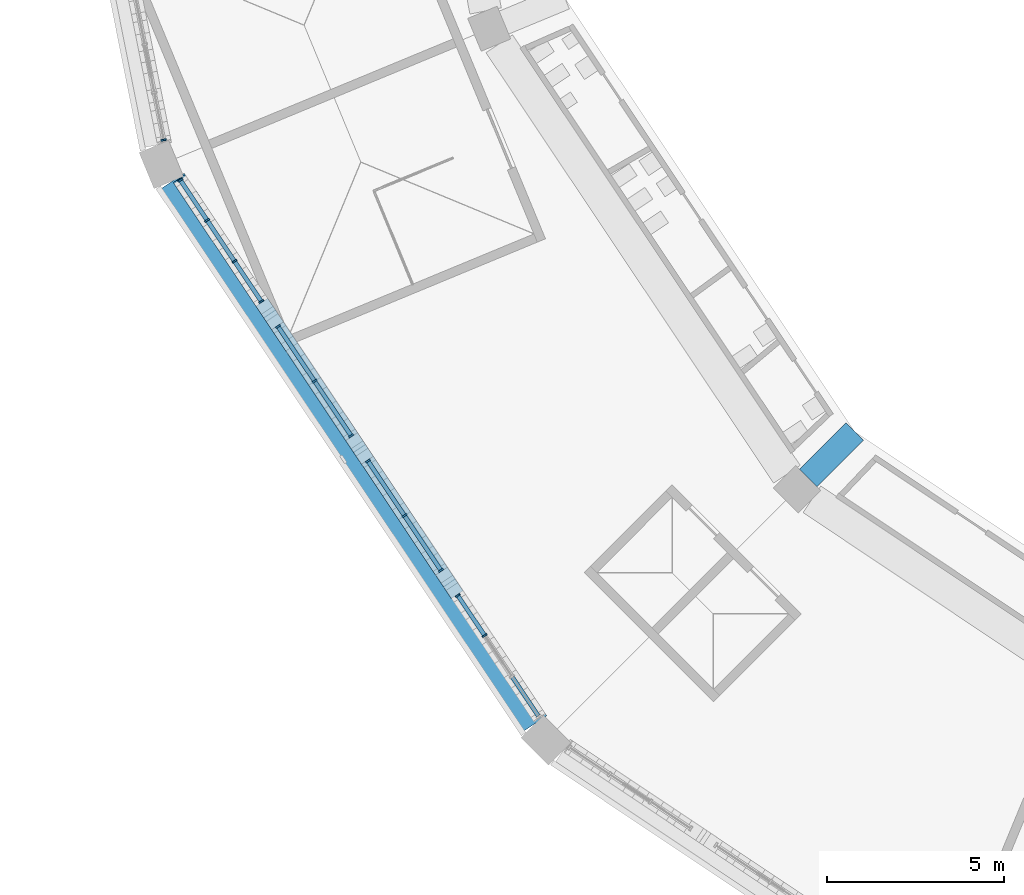
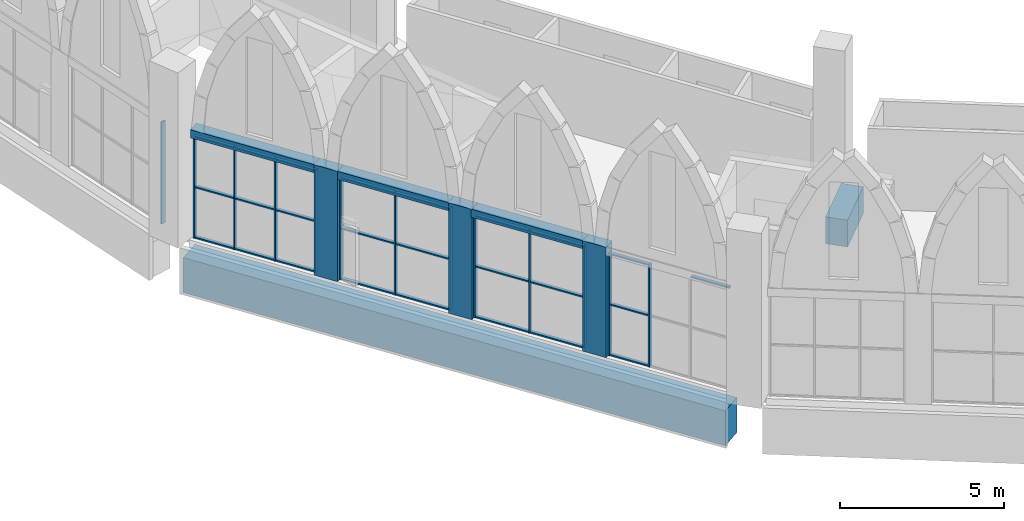
# One storey, part 3 of 130: 41 members, 5 beams, 5 elements without a shape of their own.
"""IFC4 building model written with IfcOpenShell, lengths in metres."""

from ifc_helpers import new_model, si_unit, direction, frame, origin, origin_2d, place, context, subcontext, project, spatial, rectangle, extrude, material, material_profile, profile_set, type_object, element, aggregate, save


model = new_model("IFC4")

# Units and contexts
model_context = context("Model", 3, precision=1e-05, world=origin(), true_north=direction((0.0, 1.0)))
body_context = subcontext(model_context, "Body", "Model", "MODEL_VIEW")
ifc_project = project(units=[si_unit("LENGTHUNIT", "METRE"), si_unit("AREAUNIT", "SQUARE_METRE"), si_unit("VOLUMEUNIT", "CUBIC_METRE"), si_unit("PLANEANGLEUNIT", "RADIAN"), si_unit("MASSUNIT", "GRAM", prefix="KILO")], contexts=[model_context])

# Site, building, storey
site_placement = place(None, origin())
site = spatial("IfcSite", under=ifc_project, at=site_placement, CompositionType="ELEMENT")
building_placement = place(site_placement, origin())
building = spatial("IfcBuilding", under=site, at=building_placement, Name="Ogive Plaza Stadium", CompositionType="ELEMENT")
storey_placement = place(building_placement, frame((0.0, 0.0, 22.5)))
storey = spatial("IfcBuildingStorey", under=building, at=storey_placement, Name="L05", CompositionType="ELEMENT", Elevation=22.5)

# Curtain wall, members
ifc_material_1 = material(Name="Bronze-anodised aluminium with laminated glass", Category="aluminium")
curtain_wall_type = type_object("IfcCurtainWallType", Name="Lancet curtain wall", PredefinedType="NOTDEFINED", material=ifc_material_1)
curtain_wall_1_placement = place(storey_placement, origin())
curtain_wall_1 = element("IfcCurtainWall", 1, at=curtain_wall_1_placement, inside=storey, type_object=curtain_wall_type, Name="CURTAIN WALL B19 L05", PredefinedType="NOTDEFINED")
ifc_material_2 = material(Name="Bronze-anodised aluminium", Category="aluminium")
ifc_material_profile_1 = material_profile(ifc_material_2, rectangle(XDim=0.14990234375, YDim=0.050048828125, at=origin_2d()), Name="AL 150x50")
ifc_profile_set_1 = profile_set([ifc_material_profile_1], Name="Bronze-anodised aluminium")
member_type_1 = type_object("IfcMemberType", Name="Curtain wall mullion 50x150", PredefinedType="MULLION", material=ifc_profile_set_1)
member_1_placement = place(storey_placement, frame((-71.08447265625, -84.907470703125, 0.0), z_axis=(0.0, 0.0, 1.0), x_axis=(-0.831469612312, -0.555570233005, 0.0)))
member_1 = element("IfcMember", 2, at=member_1_placement, type_object=member_type_1, Name="CW-B19-L05.1 mullion 3", PredefinedType="MULLION", context=body_context, shape_type="SweptSolid", body=[
    extrude(rectangle(XDim=0.14990234375, YDim=0.050048828125, at=origin_2d()), origin(), (0.0, 0.0, 1.0), 3.800048828125),
])
member_2_placement = place(storey_placement, frame((-71.840576171875, -83.776123046875, 0.0), z_axis=(0.0, 0.0, 1.0), x_axis=(-0.831469612312, -0.555570233005, 0.0)))
member_2 = element("IfcMember", 3, at=member_2_placement, type_object=member_type_1, Name="CW-B19-L05.1 mullion 4", PredefinedType="MULLION", context=body_context, shape_type="SweptSolid", body=[
    extrude(rectangle(XDim=0.14990234375, YDim=0.050048828125, at=origin_2d()), origin(), (0.0, 0.0, 1.0), 3.800048828125),
])

curtain_wall_2_placement = place(storey_placement, origin())
curtain_wall_2 = element("IfcCurtainWall", 4, at=curtain_wall_2_placement, inside=storey, type_object=curtain_wall_type, Name="CURTAIN WALL B19 L05", PredefinedType="NOTDEFINED")
member_3_placement = place(storey_placement, frame((-72.312744140625, -83.0693359375, 0.0), z_axis=(0.0, 0.0, 1.0), x_axis=(-0.831469612235, -0.555570233121, 0.0)))
member_3 = element("IfcMember", 5, at=member_3_placement, type_object=member_type_1, Name="CW-B19-L05.2 mullion 1", PredefinedType="MULLION", context=body_context, shape_type="SweptSolid", body=[
    extrude(rectangle(XDim=0.14990234375, YDim=0.050048828125, at=origin_2d()), origin(), (0.0, 0.0, 1.0), 3.800048828125),
])
member_4_placement = place(storey_placement, frame((-73.342529296875, -81.528076171875, 0.0), z_axis=(0.0, 0.0, 1.0), x_axis=(-0.831469612235, -0.555570233121, 0.0)))
member_4 = element("IfcMember", 6, at=member_4_placement, type_object=member_type_1, Name="CW-B19-L05.2 mullion 2", PredefinedType="MULLION", context=body_context, shape_type="SweptSolid", body=[
    extrude(rectangle(XDim=0.14990234375, YDim=0.050048828125, at=origin_2d()), origin(), (0.0, 0.0, 1.0), 3.800048828125),
])
member_5_placement = place(storey_placement, frame((-74.372314453125, -79.987060546875, 0.0), z_axis=(0.0, 0.0, 1.0), x_axis=(-0.831469612235, -0.555570233121, 0.0)))
member_5 = element("IfcMember", 7, at=member_5_placement, type_object=member_type_1, Name="CW-B19-L05.2 mullion 3", PredefinedType="MULLION", context=body_context, shape_type="SweptSolid", body=[
    extrude(rectangle(XDim=0.14990234375, YDim=0.050048828125, at=origin_2d()), origin(), (0.0, 0.0, 1.0), 3.800048828125),
])

curtain_wall_3_placement = place(storey_placement, origin())
curtain_wall_3 = element("IfcCurtainWall", 8, at=curtain_wall_3_placement, inside=storey, type_object=curtain_wall_type, Name="CURTAIN WALL B19 L05", PredefinedType="NOTDEFINED")
member_6_placement = place(storey_placement, frame((-74.844482421875, -79.2802734375, 0.0), z_axis=(0.0, 0.0, 1.0), x_axis=(-0.831469612157, -0.555570233237, 0.0)))
member_6 = element("IfcMember", 9, at=member_6_placement, type_object=member_type_1, Name="CW-B19-L05.3 mullion 1", PredefinedType="MULLION", context=body_context, shape_type="SweptSolid", body=[
    extrude(rectangle(XDim=0.14990234375, YDim=0.050048828125, at=origin_2d()), origin(), (0.0, 0.0, 1.0), 3.800048828125),
])
member_7_placement = place(storey_placement, frame((-75.874267578125, -77.739013671875, 0.0), z_axis=(0.0, 0.0, 1.0), x_axis=(-0.831469612157, -0.555570233237, 0.0)))
member_7 = element("IfcMember", 10, at=member_7_placement, type_object=member_type_1, Name="CW-B19-L05.3 mullion 2", PredefinedType="MULLION", context=body_context, shape_type="SweptSolid", body=[
    extrude(rectangle(XDim=0.14990234375, YDim=0.050048828125, at=origin_2d()), origin(), (0.0, 0.0, 1.0), 3.800048828125),
])
member_8_placement = place(storey_placement, frame((-76.904052734375, -76.197998046875, 0.0), z_axis=(0.0, 0.0, 1.0), x_axis=(-0.831469612157, -0.555570233237, 0.0)))
member_8 = element("IfcMember", 11, at=member_8_placement, type_object=member_type_1, Name="CW-B19-L05.3 mullion 3", PredefinedType="MULLION", context=body_context, shape_type="SweptSolid", body=[
    extrude(rectangle(XDim=0.14990234375, YDim=0.050048828125, at=origin_2d()), origin(), (0.0, 0.0, 1.0), 3.800048828125),
])

curtain_wall_4_placement = place(storey_placement, origin())
curtain_wall_4 = element("IfcCurtainWall", 12, at=curtain_wall_4_placement, inside=storey, type_object=curtain_wall_type, Name="CURTAIN WALL B19 L05", PredefinedType="NOTDEFINED")
member_9_placement = place(storey_placement, frame((-77.376220703125, -75.4912109375, 0.0), z_axis=(0.0, 0.0, 1.0), x_axis=(-0.83146961239, -0.555570232889, 0.0)))
member_9 = element("IfcMember", 13, at=member_9_placement, type_object=member_type_1, Name="CW-B19-L05.4 mullion 1", PredefinedType="MULLION", context=body_context, shape_type="SweptSolid", body=[
    extrude(rectangle(XDim=0.14990234375, YDim=0.050048828125, at=origin_2d()), origin(), (0.0, 0.0, 1.0), 3.800048828125),
])
member_10_placement = place(storey_placement, frame((-78.13232421875, -74.35986328125, 0.0), z_axis=(0.0, 0.0, 1.0), x_axis=(-0.83146961239, -0.555570232889, 0.0)))
member_10 = element("IfcMember", 14, at=member_10_placement, type_object=member_type_1, Name="CW-B19-L05.4 mullion 2", PredefinedType="MULLION", context=body_context, shape_type="SweptSolid", body=[
    extrude(rectangle(XDim=0.14990234375, YDim=0.050048828125, at=origin_2d()), origin(), (0.0, 0.0, 1.0), 3.800048828125),
])
member_11_placement = place(storey_placement, frame((-78.902099609375, -73.207763671875, 0.0), z_axis=(0.0, 0.0, 1.0), x_axis=(-0.83146961239, -0.555570232889, 0.0)))
member_11 = element("IfcMember", 15, at=member_11_placement, type_object=member_type_1, Name="CW-B19-L05.4 mullion 3", PredefinedType="MULLION", context=body_context, shape_type="SweptSolid", body=[
    extrude(rectangle(XDim=0.14990234375, YDim=0.050048828125, at=origin_2d()), origin(), (0.0, 0.0, 1.0), 3.800048828125),
])
member_12_placement = place(storey_placement, frame((-79.657958984375, -72.076171875, 0.0), z_axis=(0.0, 0.0, 1.0), x_axis=(-0.83146961239, -0.555570232889, 0.0)))
member_12 = element("IfcMember", 16, at=member_12_placement, type_object=member_type_1, Name="CW-B19-L05.4 mullion 4", PredefinedType="MULLION", context=body_context, shape_type="SweptSolid", body=[
    extrude(rectangle(XDim=0.14990234375, YDim=0.050048828125, at=origin_2d()), origin(), (0.0, 0.0, 1.0), 3.800048828125),
])

# Curtain wall, member
curtain_wall_5_placement = place(storey_placement, origin())
curtain_wall_5 = element("IfcCurtainWall", 17, at=curtain_wall_5_placement, inside=storey, type_object=curtain_wall_type, Name="CURTAIN WALL B20 L05", PredefinedType="NOTDEFINED")
member_13_placement = place(storey_placement, frame((-80.127685546875, -70.942626953125, 0.0), z_axis=(0.0, 0.0, 1.0), x_axis=(-0.980785280413, -0.195090321965, 0.0)))
member_13 = element("IfcMember", 18, at=member_13_placement, type_object=member_type_1, Name="CW-B20-L05.1 mullion 1", PredefinedType="MULLION", context=body_context, shape_type="SweptSolid", body=[
    extrude(rectangle(XDim=0.14990234375, YDim=0.050048828125, at=origin_2d()), origin(), (0.0, 0.0, 1.0), 3.800048828125),
])
aggregate(curtain_wall_5, [member_13])

# Member
ifc_material_3 = material(Name="Bronze-anodised aluminium", Category="aluminium")
ifc_material_profile_2 = material_profile(ifc_material_3, rectangle(XDim=0.1201171875, YDim=0.050048828125, at=origin_2d()), Name="AL 120x50")
ifc_profile_set_2 = profile_set([ifc_material_profile_2], Name="Bronze-anodised aluminium")
member_type_2 = type_object("IfcMemberType", Name="Curtain wall transom 50x120", PredefinedType="USERDEFINED", material=ifc_profile_set_2)
member_14_placement = place(storey_placement, frame((-69.572509765625, -87.170166015625, 3.77490234375), z_axis=(-0.555602496438, 0.83144805367, 0.0), x_axis=(-0.83144805367, -0.555602496438, 0.0)))
member_14 = element("IfcMember", 19, at=member_14_placement, type_object=member_type_2, Name="CW-B19-L05.1 transom 1.3", ObjectType="TRANSOM", PredefinedType="USERDEFINED", context=body_context, shape_type="SweptSolid", body=[
    extrude(rectangle(XDim=0.1201171875, YDim=0.050048828125, at=origin_2d()), origin(), (0.0, 0.0, 1.0), 1.310791015625),
])

member_15_placement = place(storey_placement, frame((-71.098388671875, -84.88671875, 0.02490234375), z_axis=(-0.555602496438, 0.83144805367, 0.0), x_axis=(-0.83144805367, -0.555602496438, 0.0)))
member_15 = element("IfcMember", 20, at=member_15_placement, type_object=member_type_2, Name="CW-B19-L05.1 transom 3.1", ObjectType="TRANSOM", PredefinedType="USERDEFINED", context=body_context, shape_type="SweptSolid", body=[
    extrude(rectangle(XDim=0.1201171875, YDim=0.050048828125, at=origin_2d()), origin(), (0.0, 0.0, 1.0), 1.310791015625),
])

member_16_placement = place(storey_placement, frame((-71.098388671875, -84.88671875, 1.89990234375), z_axis=(-0.555602496438, 0.83144805367, 0.0), x_axis=(-0.83144805367, -0.555602496438, 0.0)))
member_16 = element("IfcMember", 21, at=member_16_placement, type_object=member_type_2, Name="CW-B19-L05.1 transom 3.2", ObjectType="TRANSOM", PredefinedType="USERDEFINED", context=body_context, shape_type="SweptSolid", body=[
    extrude(rectangle(XDim=0.1201171875, YDim=0.050048828125, at=origin_2d()), origin(), (0.0, 0.0, 1.0), 1.310791015625),
])

member_17_placement = place(storey_placement, frame((-71.098388671875, -84.88671875, 3.77490234375), z_axis=(-0.555602496438, 0.83144805367, 0.0), x_axis=(-0.83144805367, -0.555602496438, 0.0)))
member_17 = element("IfcMember", 22, at=member_17_placement, type_object=member_type_2, Name="CW-B19-L05.1 transom 3.3", ObjectType="TRANSOM", PredefinedType="USERDEFINED", context=body_context, shape_type="SweptSolid", body=[
    extrude(rectangle(XDim=0.1201171875, YDim=0.050048828125, at=origin_2d()), origin(), (0.0, 0.0, 1.0), 1.310791015625),
])

aggregate(curtain_wall_1, [member_1, member_2, member_14, member_15, member_16, member_17])

member_18_placement = place(storey_placement, frame((-72.32666015625, -83.048583984375, 0.02490234375), z_axis=(-0.555574613559, 0.831466685303, 0.0), x_axis=(-0.831466685303, -0.555574613559, 0.0)))
member_18 = element("IfcMember", 23, at=member_18_placement, type_object=member_type_2, Name="CW-B19-L05.2 transom 1.1", ObjectType="TRANSOM", PredefinedType="USERDEFINED", context=body_context, shape_type="SweptSolid", body=[
    extrude(rectangle(XDim=0.1201171875, YDim=0.050048828125, at=origin_2d()), origin(), (0.0, 0.0, 1.0), 1.803466796875),
])

member_19_placement = place(storey_placement, frame((-72.32666015625, -83.048583984375, 1.89990234375), z_axis=(-0.555574613559, 0.831466685303, 0.0), x_axis=(-0.831466685303, -0.555574613559, 0.0)))
member_19 = element("IfcMember", 24, at=member_19_placement, type_object=member_type_2, Name="CW-B19-L05.2 transom 1.2", ObjectType="TRANSOM", PredefinedType="USERDEFINED", context=body_context, shape_type="SweptSolid", body=[
    extrude(rectangle(XDim=0.1201171875, YDim=0.050048828125, at=origin_2d()), origin(), (0.0, 0.0, 1.0), 1.803466796875),
])

member_20_placement = place(storey_placement, frame((-72.32666015625, -83.048583984375, 3.77490234375), z_axis=(-0.555574613559, 0.831466685303, 0.0), x_axis=(-0.831466685303, -0.555574613559, 0.0)))
member_20 = element("IfcMember", 25, at=member_20_placement, type_object=member_type_2, Name="CW-B19-L05.2 transom 1.3", ObjectType="TRANSOM", PredefinedType="USERDEFINED", context=body_context, shape_type="SweptSolid", body=[
    extrude(rectangle(XDim=0.1201171875, YDim=0.050048828125, at=origin_2d()), origin(), (0.0, 0.0, 1.0), 1.803466796875),
])

member_21_placement = place(storey_placement, frame((-73.3564453125, -81.50732421875, 0.02490234375), z_axis=(-0.555574613559, 0.831466685303, 0.0), x_axis=(-0.831466685303, -0.555574613559, 0.0)))
member_21 = element("IfcMember", 26, at=member_21_placement, type_object=member_type_2, Name="CW-B19-L05.2 transom 2.1", ObjectType="TRANSOM", PredefinedType="USERDEFINED", context=body_context, shape_type="SweptSolid", body=[
    extrude(rectangle(XDim=0.1201171875, YDim=0.050048828125, at=origin_2d()), origin(), (0.0, 0.0, 1.0), 1.803466796875),
])

member_22_placement = place(storey_placement, frame((-73.3564453125, -81.50732421875, 1.89990234375), z_axis=(-0.555574613559, 0.831466685303, 0.0), x_axis=(-0.831466685303, -0.555574613559, 0.0)))
member_22 = element("IfcMember", 27, at=member_22_placement, type_object=member_type_2, Name="CW-B19-L05.2 transom 2.2", ObjectType="TRANSOM", PredefinedType="USERDEFINED", context=body_context, shape_type="SweptSolid", body=[
    extrude(rectangle(XDim=0.1201171875, YDim=0.050048828125, at=origin_2d()), origin(), (0.0, 0.0, 1.0), 1.803466796875),
])

member_23_placement = place(storey_placement, frame((-73.3564453125, -81.50732421875, 3.77490234375), z_axis=(-0.555574613559, 0.831466685303, 0.0), x_axis=(-0.831466685303, -0.555574613559, 0.0)))
member_23 = element("IfcMember", 28, at=member_23_placement, type_object=member_type_2, Name="CW-B19-L05.2 transom 2.3", ObjectType="TRANSOM", PredefinedType="USERDEFINED", context=body_context, shape_type="SweptSolid", body=[
    extrude(rectangle(XDim=0.1201171875, YDim=0.050048828125, at=origin_2d()), origin(), (0.0, 0.0, 1.0), 1.803466796875),
])

aggregate(curtain_wall_2, [member_3, member_4, member_5, member_18, member_19, member_20, member_21, member_22, member_23])

member_24_placement = place(storey_placement, frame((-74.8583984375, -79.259521484375, 0.02490234375), z_axis=(-0.555574613559, 0.831466685303, 0.0), x_axis=(-0.831466685303, -0.555574613559, 0.0)))
member_24 = element("IfcMember", 29, at=member_24_placement, type_object=member_type_2, Name="CW-B19-L05.3 transom 1.1", ObjectType="TRANSOM", PredefinedType="USERDEFINED", context=body_context, shape_type="SweptSolid", body=[
    extrude(rectangle(XDim=0.1201171875, YDim=0.050048828125, at=origin_2d()), origin(), (0.0, 0.0, 1.0), 1.803466796875),
])

member_25_placement = place(storey_placement, frame((-74.8583984375, -79.259521484375, 1.89990234375), z_axis=(-0.555574613559, 0.831466685303, 0.0), x_axis=(-0.831466685303, -0.555574613559, 0.0)))
member_25 = element("IfcMember", 30, at=member_25_placement, type_object=member_type_2, Name="CW-B19-L05.3 transom 1.2", ObjectType="TRANSOM", PredefinedType="USERDEFINED", context=body_context, shape_type="SweptSolid", body=[
    extrude(rectangle(XDim=0.1201171875, YDim=0.050048828125, at=origin_2d()), origin(), (0.0, 0.0, 1.0), 1.803466796875),
])

member_26_placement = place(storey_placement, frame((-74.8583984375, -79.259521484375, 3.77490234375), z_axis=(-0.555574613559, 0.831466685303, 0.0), x_axis=(-0.831466685303, -0.555574613559, 0.0)))
member_26 = element("IfcMember", 31, at=member_26_placement, type_object=member_type_2, Name="CW-B19-L05.3 transom 1.3", ObjectType="TRANSOM", PredefinedType="USERDEFINED", context=body_context, shape_type="SweptSolid", body=[
    extrude(rectangle(XDim=0.1201171875, YDim=0.050048828125, at=origin_2d()), origin(), (0.0, 0.0, 1.0), 1.803466796875),
])

member_27_placement = place(storey_placement, frame((-75.88818359375, -77.71826171875, 0.02490234375), z_axis=(-0.555574613559, 0.831466685303, 0.0), x_axis=(-0.831466685303, -0.555574613559, 0.0)))
member_27 = element("IfcMember", 32, at=member_27_placement, type_object=member_type_2, Name="CW-B19-L05.3 transom 2.1", ObjectType="TRANSOM", PredefinedType="USERDEFINED", context=body_context, shape_type="SweptSolid", body=[
    extrude(rectangle(XDim=0.1201171875, YDim=0.050048828125, at=origin_2d()), origin(), (0.0, 0.0, 1.0), 1.803466796875),
])

member_28_placement = place(storey_placement, frame((-75.88818359375, -77.71826171875, 1.89990234375), z_axis=(-0.555574613559, 0.831466685303, 0.0), x_axis=(-0.831466685303, -0.555574613559, 0.0)))
member_28 = element("IfcMember", 33, at=member_28_placement, type_object=member_type_2, Name="CW-B19-L05.3 transom 2.2", ObjectType="TRANSOM", PredefinedType="USERDEFINED", context=body_context, shape_type="SweptSolid", body=[
    extrude(rectangle(XDim=0.1201171875, YDim=0.050048828125, at=origin_2d()), origin(), (0.0, 0.0, 1.0), 1.803466796875),
])

member_29_placement = place(storey_placement, frame((-75.88818359375, -77.71826171875, 3.77490234375), z_axis=(-0.555574613559, 0.831466685303, 0.0), x_axis=(-0.831466685303, -0.555574613559, 0.0)))
member_29 = element("IfcMember", 34, at=member_29_placement, type_object=member_type_2, Name="CW-B19-L05.3 transom 2.3", ObjectType="TRANSOM", PredefinedType="USERDEFINED", context=body_context, shape_type="SweptSolid", body=[
    extrude(rectangle(XDim=0.1201171875, YDim=0.050048828125, at=origin_2d()), origin(), (0.0, 0.0, 1.0), 1.803466796875),
])

aggregate(curtain_wall_3, [member_6, member_7, member_8, member_24, member_25, member_26, member_27, member_28, member_29])

member_30_placement = place(storey_placement, frame((-77.39013671875, -75.470458984375, 0.02490234375), z_axis=(-0.555602496438, 0.83144805367, 0.0), x_axis=(-0.83144805367, -0.555602496438, 0.0)))
member_30 = element("IfcMember", 35, at=member_30_placement, type_object=member_type_2, Name="CW-B19-L05.4 transom 1.1", ObjectType="TRANSOM", PredefinedType="USERDEFINED", context=body_context, shape_type="SweptSolid", body=[
    extrude(rectangle(XDim=0.1201171875, YDim=0.050048828125, at=origin_2d()), origin(), (0.0, 0.0, 1.0), 1.310791015625),
])

member_31_placement = place(storey_placement, frame((-77.39013671875, -75.470458984375, 1.89990234375), z_axis=(-0.555602496438, 0.83144805367, 0.0), x_axis=(-0.83144805367, -0.555602496438, 0.0)))
member_31 = element("IfcMember", 36, at=member_31_placement, type_object=member_type_2, Name="CW-B19-L05.4 transom 1.2", ObjectType="TRANSOM", PredefinedType="USERDEFINED", context=body_context, shape_type="SweptSolid", body=[
    extrude(rectangle(XDim=0.1201171875, YDim=0.050048828125, at=origin_2d()), origin(), (0.0, 0.0, 1.0), 1.310791015625),
])

member_32_placement = place(storey_placement, frame((-77.39013671875, -75.470458984375, 3.77490234375), z_axis=(-0.555602496438, 0.83144805367, 0.0), x_axis=(-0.83144805367, -0.555602496438, 0.0)))
member_32 = element("IfcMember", 37, at=member_32_placement, type_object=member_type_2, Name="CW-B19-L05.4 transom 1.3", ObjectType="TRANSOM", PredefinedType="USERDEFINED", context=body_context, shape_type="SweptSolid", body=[
    extrude(rectangle(XDim=0.1201171875, YDim=0.050048828125, at=origin_2d()), origin(), (0.0, 0.0, 1.0), 1.310791015625),
])

member_33_placement = place(storey_placement, frame((-78.14599609375, -74.339111328125, 0.02490234375), z_axis=(-0.555627772154, 0.831431163002, 0.0), x_axis=(-0.831431163002, -0.555627772154, 0.0)))
member_33 = element("IfcMember", 38, at=member_33_placement, type_object=member_type_2, Name="CW-B19-L05.4 transom 2.1", ObjectType="TRANSOM", PredefinedType="USERDEFINED", context=body_context, shape_type="SweptSolid", body=[
    extrude(rectangle(XDim=0.1201171875, YDim=0.050048828125, at=origin_2d()), origin(), (0.0, 0.0, 1.0), 1.335693359375),
])

member_34_placement = place(storey_placement, frame((-78.14599609375, -74.339111328125, 1.89990234375), z_axis=(-0.555627772154, 0.831431163002, 0.0), x_axis=(-0.831431163002, -0.555627772154, 0.0)))
member_34 = element("IfcMember", 39, at=member_34_placement, type_object=member_type_2, Name="CW-B19-L05.4 transom 2.2", ObjectType="TRANSOM", PredefinedType="USERDEFINED", context=body_context, shape_type="SweptSolid", body=[
    extrude(rectangle(XDim=0.1201171875, YDim=0.050048828125, at=origin_2d()), origin(), (0.0, 0.0, 1.0), 1.335693359375),
])

member_35_placement = place(storey_placement, frame((-78.14599609375, -74.339111328125, 3.77490234375), z_axis=(-0.555627772154, 0.831431163002, 0.0), x_axis=(-0.831431163002, -0.555627772154, 0.0)))
member_35 = element("IfcMember", 40, at=member_35_placement, type_object=member_type_2, Name="CW-B19-L05.4 transom 2.3", ObjectType="TRANSOM", PredefinedType="USERDEFINED", context=body_context, shape_type="SweptSolid", body=[
    extrude(rectangle(XDim=0.1201171875, YDim=0.050048828125, at=origin_2d()), origin(), (0.0, 0.0, 1.0), 1.335693359375),
])

member_36_placement = place(storey_placement, frame((-78.916015625, -73.186767578125, 0.02490234375), z_axis=(-0.555559766553, 0.831476605676, 0.0), x_axis=(-0.831476605676, -0.555559766553, 0.0)))
member_36 = element("IfcMember", 41, at=member_36_placement, type_object=member_type_2, Name="CW-B19-L05.4 transom 3.1", ObjectType="TRANSOM", PredefinedType="USERDEFINED", context=body_context, shape_type="SweptSolid", body=[
    extrude(rectangle(XDim=0.1201171875, YDim=0.050048828125, at=origin_2d()), origin(), (0.0, 0.0, 1.0), 1.310546875),
])

member_37_placement = place(storey_placement, frame((-78.916015625, -73.186767578125, 1.89990234375), z_axis=(-0.555559766553, 0.831476605676, 0.0), x_axis=(-0.831476605676, -0.555559766553, 0.0)))
member_37 = element("IfcMember", 42, at=member_37_placement, type_object=member_type_2, Name="CW-B19-L05.4 transom 3.2", ObjectType="TRANSOM", PredefinedType="USERDEFINED", context=body_context, shape_type="SweptSolid", body=[
    extrude(rectangle(XDim=0.1201171875, YDim=0.050048828125, at=origin_2d()), origin(), (0.0, 0.0, 1.0), 1.310546875),
])

member_38_placement = place(storey_placement, frame((-78.916015625, -73.186767578125, 3.77490234375), z_axis=(-0.555559766553, 0.831476605676, 0.0), x_axis=(-0.831476605676, -0.555559766553, 0.0)))
member_38 = element("IfcMember", 43, at=member_38_placement, type_object=member_type_2, Name="CW-B19-L05.4 transom 3.3", ObjectType="TRANSOM", PredefinedType="USERDEFINED", context=body_context, shape_type="SweptSolid", body=[
    extrude(rectangle(XDim=0.1201171875, YDim=0.050048828125, at=origin_2d()), origin(), (0.0, 0.0, 1.0), 1.310546875),
])

aggregate(curtain_wall_4, [member_9, member_10, member_11, member_12, member_30, member_31, member_32, member_33, member_34, member_35, member_36, member_37, member_38])

# Members
ifc_material_4 = material(Name="Concrete C45/55 precast", Category="concrete")
ifc_material_profile_3 = material_profile(ifc_material_4, rectangle(XDim=0.39990234375, YDim=0.800048828125, at=origin_2d()), Name="RC 400x800")
ifc_profile_set_3 = profile_set([ifc_material_profile_3], Name="Concrete C45/55 precast")
member_type_3 = type_object("IfcMemberType", Name="Precast colonette 800x400", PredefinedType="POST", material=ifc_profile_set_3)
for number, where, z_axis, x_axis, name in (
    (44, (-72.07666015625, -83.422607421875, 0.0), (0.0, 0.0, 1.0), (-0.831469612303, -0.55557023302, 0.0), "COLONETTE B19 1"),
    (45, (-74.6083984375, -79.633544921875, 0.0), (0.0, 0.0, 1.0), (-0.831469612303, -0.55557023302, 0.0), "COLONETTE B19 2"),
    (46, (-77.14013671875, -75.844482421875, 0.0), (0.0, 0.0, 1.0), (-0.831469612303, -0.55557023302, 0.0), "COLONETTE B19 3"),
):
    element("IfcMember", number, at=place(storey_placement, frame(where, z_axis=z_axis, x_axis=x_axis)), inside=storey, type_object=member_type_3, Name=name, PredefinedType="POST", context=body_context, shape_type="SweptSolid", body=[
        extrude(rectangle(XDim=0.39990234375, YDim=0.800048828125, at=origin_2d()), origin(), (0.0, 0.0, 1.0), 4.10009765625),
    ])

# Beams
ifc_material_5 = material(Name="Concrete C45/55 precast", Category="concrete")
ifc_material_profile_4 = material_profile(ifc_material_5, rectangle(XDim=0.39990234375, YDim=0.300048828125, at=origin_2d()), Name="RC 400x300")
ifc_profile_set_4 = profile_set([ifc_material_profile_4], Name="Concrete C45/55 precast")
beam_type_1 = type_object("IfcBeamType", Name="Precast tympanum lintel 400x300", PredefinedType="BEAM", material=ifc_profile_set_4)
beam_1_placement = place(storey_placement, frame((-72.2822265625, -83.114990234375, 3.949951171875), z_axis=(-0.555585528171, 0.831459392206, 0.0), x_axis=(-0.831459392206, -0.555585528171, 0.0)))
element("IfcBeam", 47, at=beam_1_placement, inside=storey, type_object=beam_type_1, Name="TYMPANUM LINTEL B19 2", PredefinedType="BEAM", context=body_context, shape_type="SweptSolid", body=[
    extrude(rectangle(XDim=0.39990234375, YDim=0.300048828125, at=origin_2d()), origin(), (0.0, 0.0, 1.0), 3.81689453125),
])
beam_2_placement = place(storey_placement, frame((-74.81396484375, -79.325927734375, 3.949951171875), z_axis=(-0.555555981733, 0.831479134531, 0.0), x_axis=(-0.831479134531, -0.555555981733, 0.0)))
element("IfcBeam", 48, at=beam_2_placement, inside=storey, type_object=beam_type_1, Name="TYMPANUM LINTEL B19 3", PredefinedType="BEAM", context=body_context, shape_type="SweptSolid", body=[
    extrude(rectangle(XDim=0.39990234375, YDim=0.300048828125, at=origin_2d()), origin(), (0.0, 0.0, 1.0), 3.817138671875),
])
beam_3_placement = place(storey_placement, frame((-77.345703125, -75.536865234375, 3.949951171875), z_axis=(-0.555554959537, 0.831479817514, 0.0), x_axis=(-0.831479817514, -0.555554959537, 0.0)))
element("IfcBeam", 49, at=beam_3_placement, inside=storey, type_object=beam_type_1, Name="TYMPANUM LINTEL B19 4", PredefinedType="BEAM", context=body_context, shape_type="SweptSolid", body=[
    extrude(rectangle(XDim=0.39990234375, YDim=0.300048828125, at=origin_2d()), origin(), (0.0, 0.0, 1.0), 4.217041015625),
])
ifc_material_6 = material(Name="Concrete C40/50", Category="concrete")
ifc_material_profile_5 = material_profile(ifc_material_6, rectangle(XDim=0.699951171875, YDim=1.0, at=origin_2d()), Name="RC 700x1000")
ifc_profile_set_5 = profile_set([ifc_material_profile_5], Name="Concrete C40/50")
beam_type_2 = type_object("IfcBeamType", Name="RC radial beam 700x1000", PredefinedType="BEAM", material=ifc_profile_set_5)
beam_4_placement = place(storey_placement, frame((-60.657958984375, -79.157958984375, -0.909912109375), z_axis=(-0.707106781187, -0.707106781187, 0.0), x_axis=(0.707106781187, -0.707106781187, 0.0)))
element("IfcBeam", 50, at=beam_4_placement, inside=storey, type_object=beam_type_2, Name="Raker tail beam UT R19", PredefinedType="BEAM", context=body_context, shape_type="SweptSolid", body=[
    extrude(rectangle(XDim=0.699951171875, YDim=1.0, at=origin_2d()), origin(), (0.0, 0.0, 1.0), 1.849853515625),
])
ifc_material_7 = material(Name="Concrete C40/50", Category="concrete")
ifc_material_profile_6 = material_profile(ifc_material_7, rectangle(XDim=0.800048828125, YDim=1.300048828125, at=origin_2d()), Name="RC 800x1300")
ifc_profile_set_6 = profile_set([ifc_material_profile_6], Name="Concrete C40/50")
beam_type_3 = type_object("IfcBeamType", Name="RC spandrel beam 800x1300", PredefinedType="SPANDREL", material=ifc_profile_set_6)
beam_5_placement = place(storey_placement, frame((-69.6669921875, -87.38916015625, -1.06005859375), z_axis=(-0.555557833169, 0.831477897484, 0.0), x_axis=(-0.831477897484, -0.555557833169, 0.0)))
element("IfcBeam", 51, at=beam_5_placement, inside=storey, type_object=beam_type_3, Name="Ring beam F5 L05 B19", PredefinedType="SPANDREL", context=body_context, shape_type="SweptSolid", body=[
    extrude(rectangle(XDim=0.800048828125, YDim=1.300048828125, at=origin_2d()), origin(), (0.0, 0.0, 1.0), 18.387451171875),
])

save(model, "model.ifc")
